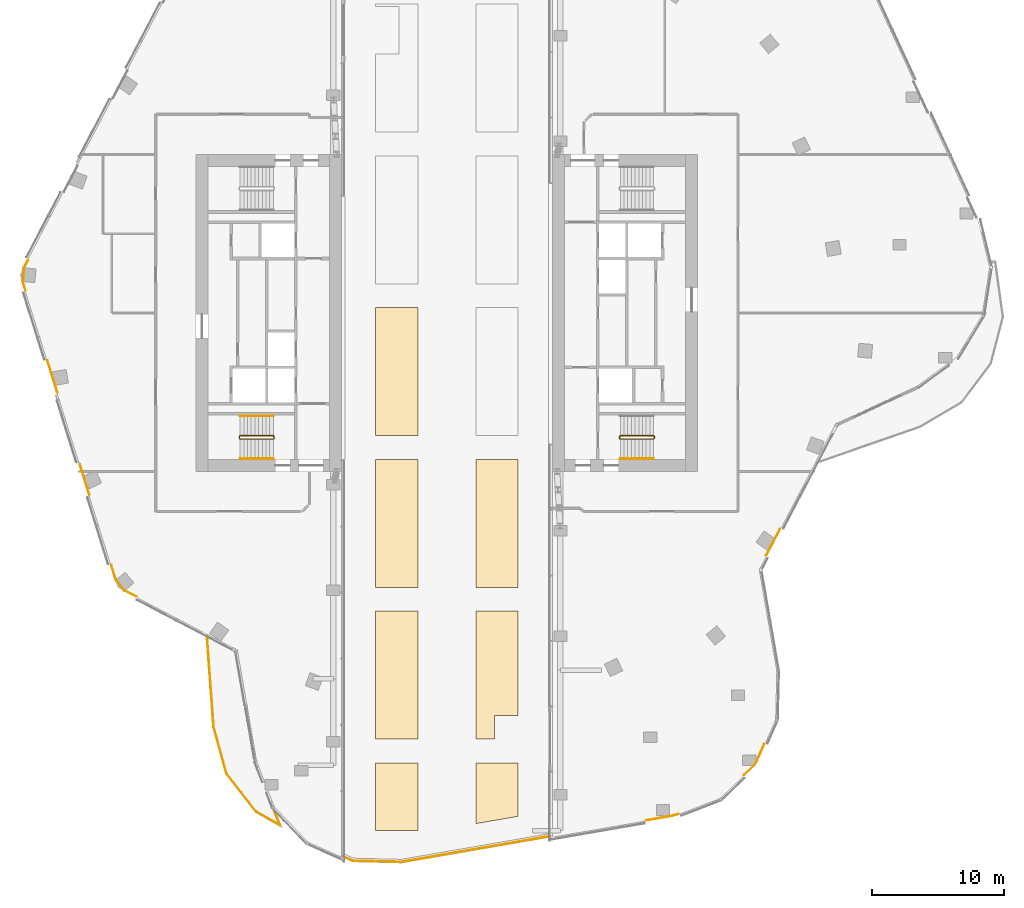
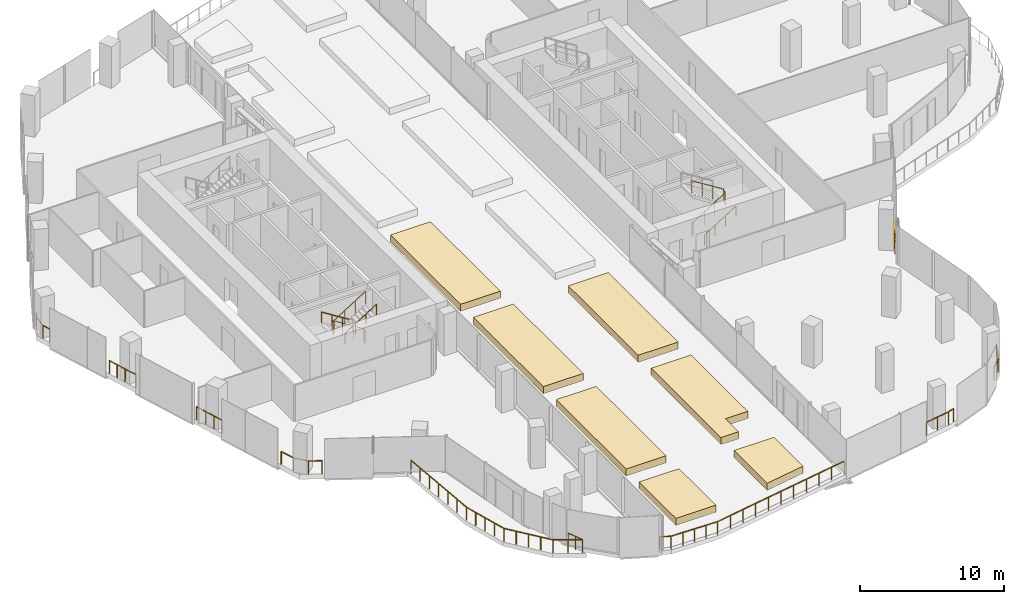
# One storey, part 23 of 26: 17 railings, 7 coverings.
"""IFC4 building model written with IfcOpenShell, lengths in metres."""

from ifc_helpers import new_model, si_unit, direction, frame, origin, origin_2d, place, context, subcontext, project, spatial, polyline, circle, outline, extrude, material, layer, layer_set, type_object, element, save


model = new_model("IFC4")

# Units and contexts
model_context = context("Model", 3, precision=1e-05, world=origin(), true_north=direction((0.0, 1.0)))
body_context = subcontext(model_context, "Body", "Model", "MODEL_VIEW")
ifc_project = project(units=[si_unit("LENGTHUNIT", "METRE"), si_unit("AREAUNIT", "SQUARE_METRE"), si_unit("VOLUMEUNIT", "CUBIC_METRE"), si_unit("PLANEANGLEUNIT", "RADIAN"), si_unit("MASSUNIT", "GRAM", prefix="KILO")], contexts=[model_context])

# Site, building, storey
site_placement = place(None, origin())
site = spatial("IfcSite", under=ifc_project, at=site_placement, CompositionType="ELEMENT")
building_placement = place(site_placement, origin())
building = spatial("IfcBuilding", under=site, at=building_placement, Name="Orlundy Tower", CompositionType="ELEMENT")
storey_placement = place(building_placement, frame((0.0, 0.0, 253.5)))
storey = spatial("IfcBuildingStorey", under=building, at=storey_placement, Name="L67", CompositionType="ELEMENT", Elevation=253.5)

# Coverings
ifc_material_1 = material(Name="Planted soil in precast concrete trough", Category="concrete")
ifc_layer = layer(ifc_material_1, 0.60009765625)
ifc_layer_set = layer_set([ifc_layer], Name="PLANTER box")
covering_type = type_object("IfcCoveringType", Name="PLANTER box", PredefinedType="USERDEFINED", material=ifc_layer_set)
covering_1_placement = place(storey_placement, origin())
element("IfcCovering", 1, at=covering_1_placement, inside=storey, type_object=covering_type, Name="PLANTER L67-20", ObjectType="PLANTER", PredefinedType="USERDEFINED", context=body_context, shape_type="SweptSolid", body=[
    extrude(outline(polyline([(-5.39990234375, -39.197998046875), (-5.39990234375, -34.097900390625), (-2.199951171875, -34.097900390625), (-2.199951171875, -39.197998046875), (-5.39990234375, -39.197998046875)])), origin(), (0.0, 0.0, 1.0), 0.60009765625),
])
covering_2_placement = place(storey_placement, origin())
element("IfcCovering", 2, at=covering_2_placement, inside=storey, type_object=covering_type, Name="PLANTER L67-21", ObjectType="PLANTER", PredefinedType="USERDEFINED", context=body_context, shape_type="SweptSolid", body=[
    extrude(outline(polyline([(-5.39990234375, -22.597900390625), (-2.199951171875, -22.597900390625), (-2.199951171875, -32.298095703125), (-5.39990234375, -32.298095703125), (-5.39990234375, -22.597900390625)])), origin(), (0.0, 0.0, 1.0), 0.60009765625),
])
covering_3_placement = place(storey_placement, origin())
element("IfcCovering", 3, at=covering_3_placement, inside=storey, type_object=covering_type, Name="PLANTER L67-22", ObjectType="PLANTER", PredefinedType="USERDEFINED", context=body_context, shape_type="SweptSolid", body=[
    extrude(outline(polyline([(-5.39990234375, -11.097900390625), (-2.199951171875, -11.097900390625), (-2.199951171875, -20.798095703125), (-5.39990234375, -20.798095703125), (-5.39990234375, -11.097900390625)])), origin(), (0.0, 0.0, 1.0), 0.60009765625),
])
covering_4_placement = place(storey_placement, origin())
element("IfcCovering", 4, at=covering_4_placement, inside=storey, type_object=covering_type, Name="PLANTER L67-23", ObjectType="PLANTER", PredefinedType="USERDEFINED", context=body_context, shape_type="SweptSolid", body=[
    extrude(outline(polyline([(-5.39990234375, 0.402099609375), (-2.199951171875, 0.402099609375), (-2.199951171875, -9.298095703125), (-5.39990234375, -9.298095703125), (-5.39990234375, 0.402099609375)])), origin(), (0.0, 0.0, 1.0), 0.60009765625),
])
covering_5_placement = place(storey_placement, origin())
element("IfcCovering", 5, at=covering_5_placement, inside=storey, type_object=covering_type, Name="PLANTER L67-27", ObjectType="PLANTER", PredefinedType="USERDEFINED", context=body_context, shape_type="SweptSolid", body=[
    extrude(outline(polyline([(2.199951171875, -38.693115234375), (2.199951171875, -34.097900390625), (5.39990234375, -34.097900390625), (5.39990234375, -38.137939453125), (2.199951171875, -38.693115234375)])), origin(), (0.0, 0.0, 1.0), 0.60009765625),
])
covering_6_placement = place(storey_placement, origin())
element("IfcCovering", 6, at=covering_6_placement, inside=storey, type_object=covering_type, Name="PLANTER L67-28", ObjectType="PLANTER", PredefinedType="USERDEFINED", context=body_context, shape_type="SweptSolid", body=[
    extrude(outline(polyline([(2.199951171875, -22.597900390625), (5.39990234375, -22.597900390625), (5.39990234375, -30.48193359375), (3.610107421875, -30.48193359375), (3.610107421875, -32.298095703125), (2.199951171875, -32.298095703125), (2.199951171875, -22.597900390625)])), origin(), (0.0, 0.0, 1.0), 0.60009765625),
])
covering_7_placement = place(storey_placement, origin())
element("IfcCovering", 7, at=covering_7_placement, inside=storey, type_object=covering_type, Name="PLANTER L67-29", ObjectType="PLANTER", PredefinedType="USERDEFINED", context=body_context, shape_type="SweptSolid", body=[
    extrude(outline(polyline([(2.199951171875, -11.097900390625), (5.39990234375, -11.097900390625), (5.39990234375, -20.798095703125), (2.199951171875, -20.798095703125), (2.199951171875, -11.097900390625)])), origin(), (0.0, 0.0, 1.0), 0.60009765625),
])

# Railings
ifc_material_2 = material(Name="Steel balustrade", Category="steel")
railing_type_1 = type_object("IfcRailingType", Name="Stair Guard 1100", PredefinedType="GUARDRAIL", material=ifc_material_2)
railing_1_placement = place(storey_placement, frame((-13.090087890625, -9.35009765625, 0.0)))
element("IfcRailing", 8, at=railing_1_placement, inside=storey, type_object=railing_type_1, Name="L67 ST-W2 stair guard 1", PredefinedType="GUARDRAIL", context=body_context, shape_type="SweptSolid", body=[
    extrude(circle(Radius=0.02392578125, at=origin_2d()), frame((0.0, 0.0, 1.076171875), z_axis=(0.0, -1.0, 0.0), x_axis=(1.0, 0.0, 0.0)), (0.0, 0.0, 1.0), 0.14990234375),
    extrude(circle(Radius=0.02392578125, at=origin_2d()), frame((0.0, -0.14990234375, 1.076171875), z_axis=(-0.18420542264, 0.739530593833, 0.647427882513), x_axis=(-0.970351222016, -0.241699205484, 0.0)), (0.0, 0.0, 1.0), 0.270263671875),
    extrude(circle(Radius=0.02392578125, at=origin_2d()), frame((-0.0498046875, 0.050048828125, 1.2509765625), z_axis=(-0.848007534815, 0.0, 0.529984170421), x_axis=(0.0, -1.0, 0.0)), (0.0, 0.0, 1.0), 2.9716796875),
    extrude(circle(Radius=0.02392578125, at=origin_2d()), frame((-2.56982421875, 0.050048828125, 2.826171875), z_axis=(-0.707106781187, -0.707106781187, 0.0), x_axis=(0.707106781187, -0.707106781187, 0.0)), (0.0, 0.0, 1.0), 0.07080078125),
    extrude(circle(Radius=0.02392578125, at=origin_2d()), frame((-2.619873046875, 0.0, 2.826171875), z_axis=(0.0, -1.0, 0.0), x_axis=(1.0, 0.0, 0.0)), (0.0, 0.0, 1.0), 0.14990234375),
    extrude(circle(Radius=0.02392578125, at=origin_2d()), frame((-2.619873046875, -0.14990234375, 2.826171875), z_axis=(0.265065253269, -0.265065253269, 0.927081885822), x_axis=(0.707106781187, 0.707106781187, 0.0)), (0.0, 0.0, 1.0), 0.188720703125),
    extrude(circle(Radius=0.02392578125, at=origin_2d()), frame((-2.56982421875, -0.199951171875, 3.0009765625), z_axis=(0.848007534815, 0.0, 0.529984170421), x_axis=(0.0, 1.0, 0.0)), (0.0, 0.0, 1.0), 2.9716796875),
    extrude(circle(Radius=0.02099609375, at=origin_2d()), origin(), (0.0, 0.0, 1.0), 1.052001953125),
    extrude(circle(Radius=0.02099609375, at=origin_2d()), frame((0.0, -0.14990234375, 0.0)), (0.0, 0.0, 1.0), 1.052001953125),
    extrude(circle(Radius=0.02099609375, at=origin_2d()), frame((-0.0498046875, 0.050048828125, 0.175048828125)), (0.0, 0.0, 1.0), 1.052001953125),
    extrude(circle(Radius=0.02099609375, at=origin_2d()), frame((-0.889892578125, 0.050048828125, 0.699951171875)), (0.0, 0.0, 1.0), 1.052001953125),
    extrude(circle(Radius=0.02099609375, at=origin_2d()), frame((-1.729736328125, 0.050048828125, 1.22509765625)), (0.0, 0.0, 1.0), 1.052001953125),
    extrude(circle(Radius=0.02099609375, at=origin_2d()), frame((-2.56982421875, 0.050048828125, 1.75)), (0.0, 0.0, 1.0), 1.052001953125),
    extrude(circle(Radius=0.02099609375, at=origin_2d()), frame((-2.619873046875, 0.0, 1.75)), (0.0, 0.0, 1.0), 1.052001953125),
    extrude(circle(Radius=0.02099609375, at=origin_2d()), frame((-2.619873046875, -0.14990234375, 1.75)), (0.0, 0.0, 1.0), 1.052001953125),
    extrude(circle(Radius=0.02099609375, at=origin_2d()), frame((-2.56982421875, -0.199951171875, 1.925048828125)), (0.0, 0.0, 1.0), 1.052001953125),
    extrude(circle(Radius=0.02099609375, at=origin_2d()), frame((-1.729736328125, -0.199951171875, 2.449951171875)), (0.0, 0.0, 1.0), 1.052001953125),
    extrude(circle(Radius=0.02099609375, at=origin_2d()), frame((-0.889892578125, -0.199951171875, 2.97509765625)), (0.0, 0.0, 1.0), 1.052001953125),
    extrude(circle(Radius=0.02099609375, at=origin_2d()), frame((-0.0498046875, -0.199951171875, 3.5)), (0.0, 0.0, 1.0), 1.052001953125),
])
railing_2_placement = place(storey_placement, frame((13.090087890625, -9.5, 0.0)))
element("IfcRailing", 9, at=railing_2_placement, inside=storey, type_object=railing_type_1, Name="L67 ST-E1 stair guard 1", PredefinedType="GUARDRAIL", context=body_context, shape_type="SweptSolid", body=[
    extrude(circle(Radius=0.02392578125, at=origin_2d()), frame((0.0, 0.0, 1.076171875), z_axis=(0.0, 1.0, 0.0), x_axis=(-1.0, 0.0, 0.0)), (0.0, 0.0, 1.0), 0.14990234375),
    extrude(circle(Radius=0.02392578125, at=origin_2d()), frame((0.0, 0.14990234375, 1.076171875), z_axis=(0.18420542264, -0.739530593833, 0.647427882513), x_axis=(0.970351222016, 0.241699205484, 0.0)), (0.0, 0.0, 1.0), 0.270263671875),
    extrude(circle(Radius=0.02392578125, at=origin_2d()), frame((0.0498046875, -0.050048828125, 1.2509765625), z_axis=(0.848007534815, 0.0, 0.529984170421), x_axis=(0.0, 1.0, 0.0)), (0.0, 0.0, 1.0), 2.9716796875),
    extrude(circle(Radius=0.02392578125, at=origin_2d()), frame((2.56982421875, -0.050048828125, 2.826171875), z_axis=(0.707106781187, 0.707106781187, 0.0), x_axis=(-0.707106781187, 0.707106781187, 0.0)), (0.0, 0.0, 1.0), 0.07080078125),
    extrude(circle(Radius=0.02392578125, at=origin_2d()), frame((2.619873046875, 0.0, 2.826171875), z_axis=(0.0, 1.0, 0.0), x_axis=(-1.0, 0.0, 0.0)), (0.0, 0.0, 1.0), 0.14990234375),
    extrude(circle(Radius=0.02392578125, at=origin_2d()), frame((2.619873046875, 0.14990234375, 2.826171875), z_axis=(-0.265065253269, 0.265065253269, 0.927081885822), x_axis=(-0.707106781187, -0.707106781187, 0.0)), (0.0, 0.0, 1.0), 0.188720703125),
    extrude(circle(Radius=0.02392578125, at=origin_2d()), frame((2.56982421875, 0.199951171875, 3.0009765625), z_axis=(-0.848007534815, 0.0, 0.529984170421), x_axis=(0.0, -1.0, 0.0)), (0.0, 0.0, 1.0), 2.9716796875),
    extrude(circle(Radius=0.02099609375, at=origin_2d()), origin(), (0.0, 0.0, 1.0), 1.052001953125),
    extrude(circle(Radius=0.02099609375, at=origin_2d()), frame((0.0, 0.14990234375, 0.0)), (0.0, 0.0, 1.0), 1.052001953125),
    extrude(circle(Radius=0.02099609375, at=origin_2d()), frame((0.0498046875, -0.050048828125, 0.175048828125)), (0.0, 0.0, 1.0), 1.052001953125),
    extrude(circle(Radius=0.02099609375, at=origin_2d()), frame((0.889892578125, -0.050048828125, 0.699951171875)), (0.0, 0.0, 1.0), 1.052001953125),
    extrude(circle(Radius=0.02099609375, at=origin_2d()), frame((1.729736328125, -0.050048828125, 1.22509765625)), (0.0, 0.0, 1.0), 1.052001953125),
    extrude(circle(Radius=0.02099609375, at=origin_2d()), frame((2.56982421875, -0.050048828125, 1.75)), (0.0, 0.0, 1.0), 1.052001953125),
    extrude(circle(Radius=0.02099609375, at=origin_2d()), frame((2.619873046875, 0.0, 1.75)), (0.0, 0.0, 1.0), 1.052001953125),
    extrude(circle(Radius=0.02099609375, at=origin_2d()), frame((2.619873046875, 0.14990234375, 1.75)), (0.0, 0.0, 1.0), 1.052001953125),
    extrude(circle(Radius=0.02099609375, at=origin_2d()), frame((2.56982421875, 0.199951171875, 1.925048828125)), (0.0, 0.0, 1.0), 1.052001953125),
    extrude(circle(Radius=0.02099609375, at=origin_2d()), frame((1.729736328125, 0.199951171875, 2.449951171875)), (0.0, 0.0, 1.0), 1.052001953125),
    extrude(circle(Radius=0.02099609375, at=origin_2d()), frame((0.889892578125, 0.199951171875, 2.97509765625)), (0.0, 0.0, 1.0), 1.052001953125),
    extrude(circle(Radius=0.02099609375, at=origin_2d()), frame((0.0498046875, 0.199951171875, 3.5)), (0.0, 0.0, 1.0), 1.052001953125),
])
ifc_material_3 = material(Name="Steel handrail", Category="steel")
railing_type_2 = type_object("IfcRailingType", Name="Stair Handrail 900", PredefinedType="HANDRAIL", material=ifc_material_3)
railing_3_placement = place(storey_placement, frame((-13.139892578125, -7.800048828125, 0.175048828125)))
element("IfcRailing", 10, at=railing_3_placement, inside=storey, type_object=railing_type_2, Name="L67 ST-W2 stair handrail 1", PredefinedType="HANDRAIL", context=body_context, shape_type="SweptSolid", body=[
    extrude(circle(Radius=0.02392578125, at=origin_2d()), frame((0.0, 0.0, 0.8759765625), z_axis=(-0.848007534815, 0.0, 0.529984170421), x_axis=(0.0, -1.0, 0.0)), (0.0, 0.0, 1.0), 2.9716796875),
    extrude(circle(Radius=0.02099609375, at=origin_2d()), origin(), (0.0, 0.0, 1.0), 0.851806640625),
    extrude(circle(Radius=0.02099609375, at=origin_2d()), frame((-0.840087890625, 0.0, 0.52490234375)), (0.0, 0.0, 1.0), 0.851806640625),
    extrude(circle(Radius=0.02099609375, at=origin_2d()), frame((-1.679931640625, 0.0, 1.050048828125)), (0.0, 0.0, 1.0), 0.851806640625),
    extrude(circle(Radius=0.02099609375, at=origin_2d()), frame((-2.52001953125, 0.0, 1.574951171875)), (0.0, 0.0, 1.0), 0.851806640625),
])
for number, where, name in (
    (11, (-15.659912109375, -11.050048828125, 1.925048828125), "L67 ST-W2 stair handrail 2"),
    (12, (13.139892578125, -11.050048828125, 0.175048828125), "L67 ST-E1 stair handrail 1"),
):
    element("IfcRailing", number, at=place(storey_placement, frame(where)), inside=storey, type_object=railing_type_2, Name=name, PredefinedType="HANDRAIL", context=body_context, shape_type="SweptSolid", body=[
        extrude(circle(Radius=0.02392578125, at=origin_2d()), frame((0.0, 0.0, 0.8759765625), z_axis=(0.848007534815, 0.0, 0.529984170421), x_axis=(0.0, 1.0, 0.0)), (0.0, 0.0, 1.0), 2.9716796875),
        extrude(circle(Radius=0.02099609375, at=origin_2d()), origin(), (0.0, 0.0, 1.0), 0.851806640625),
        extrude(circle(Radius=0.02099609375, at=origin_2d()), frame((0.840087890625, 0.0, 0.52490234375)), (0.0, 0.0, 1.0), 0.851806640625),
        extrude(circle(Radius=0.02099609375, at=origin_2d()), frame((1.679931640625, 0.0, 1.050048828125)), (0.0, 0.0, 1.0), 0.851806640625),
        extrude(circle(Radius=0.02099609375, at=origin_2d()), frame((2.52001953125, 0.0, 1.574951171875)), (0.0, 0.0, 1.0), 0.851806640625),
    ])
ifc_material_4 = material(Name="Stainless steel bronze finish", Category="steel")
railing_type_3 = type_object("IfcRailingType", Name="TG1 terrace guard", PredefinedType="GUARDRAIL", material=ifc_material_4)
railing_4_placement = place(storey_placement, frame((-23.530517578125, -21.4912109375, 0.0)))
element("IfcRailing", 13, at=railing_4_placement, inside=storey, type_object=railing_type_3, Name="Guard TG-L67-E00", PredefinedType="GUARDRAIL", context=body_context, shape_type="SweptSolid", body=[
    extrude(circle(Radius=0.02490234375, at=origin_2d()), frame((0.0, 0.0, 1.09521484375), z_axis=(-0.885660090891, 0.464334150589, 0.0), x_axis=(-0.464334150589, -0.885660090891, 0.0)), (0.0, 0.0, 1.0), 0.947998046875),
    extrude(circle(Radius=0.02490234375, at=origin_2d()), frame((-0.839599609375, 0.440185546875, 1.09521484375), z_axis=(-0.640314205142, 0.768113089782, 0.0), x_axis=(-0.768113089782, -0.640314205142, 0.0)), (0.0, 0.0, 1.0), 1.10986328125),
    extrude(circle(Radius=0.02490234375, at=origin_2d()), frame((-1.55029296875, 1.292724609375, 1.09521484375), z_axis=(-0.297946150995, 0.954582679032, 0.0), x_axis=(-0.954582679032, -0.297946150995, 0.0)), (0.0, 0.0, 1.0), 1.141357421875),
    extrude(circle(Radius=0.02001953125, at=origin_2d()), origin(), (0.0, 0.0, 1.0), 1.070068359375),
    extrude(circle(Radius=0.02001953125, at=origin_2d()), frame((-0.839599609375, 0.440185546875, 0.0)), (0.0, 0.0, 1.0), 1.070068359375),
    extrude(circle(Radius=0.02001953125, at=origin_2d()), frame((-1.55029296875, 1.292724609375, 0.0)), (0.0, 0.0, 1.0), 1.070068359375),
    extrude(circle(Radius=0.02001953125, at=origin_2d()), frame((-1.890380859375, 2.38232421875, 0.0)), (0.0, 0.0, 1.0), 1.070068359375),
])
railing_5_placement = place(storey_placement, frame((-27.53369140625, -12.340087890625, 0.0)))
element("IfcRailing", 14, at=railing_5_placement, inside=storey, type_object=railing_type_3, Name="Guard TG-L67-E02", PredefinedType="GUARDRAIL", context=body_context, shape_type="SweptSolid", body=[
    extrude(circle(Radius=0.02490234375, at=origin_2d()), frame((0.0, 0.0, 1.09521484375), z_axis=(0.297859053334, -0.954609859758, 0.0), x_axis=(0.954609859758, 0.297859053334, 0.0)), (0.0, 0.0, 1.0), 1.504150390625),
    extrude(circle(Radius=0.02001953125, at=origin_2d()), origin(), (0.0, 0.0, 1.0), 1.070068359375),
    extrude(circle(Radius=0.02001953125, at=origin_2d()), frame((0.22412109375, -0.7177734375, 0.0)), (0.0, 0.0, 1.0), 1.070068359375),
    extrude(circle(Radius=0.02001953125, at=origin_2d()), frame((0.447998046875, -1.435791015625, 0.0)), (0.0, 0.0, 1.0), 1.070068359375),
])
railing_6_placement = place(storey_placement, frame((-31.919921875, 1.71240234375, 0.0)))
element("IfcRailing", 15, at=railing_6_placement, inside=storey, type_object=railing_type_3, Name="Guard TG-L67-E05", PredefinedType="GUARDRAIL", context=body_context, shape_type="SweptSolid", body=[
    extrude(circle(Radius=0.02490234375, at=origin_2d()), frame((0.0, 0.0, 1.09521484375), z_axis=(-0.298107755975, 0.954532223567, 0.0), x_axis=(-0.954532223567, -0.298107755975, 0.0)), (0.0, 0.0, 1.0), 0.6650390625),
    extrude(circle(Radius=0.02490234375, at=origin_2d()), frame((-0.1982421875, 0.634765625, 1.09521484375), z_axis=(0.090615068193, 0.995885992178, 0.0), x_axis=(-0.995885992178, 0.090615068193, 0.0)), (0.0, 0.0, 1.0), 1.110107421875),
    extrude(circle(Radius=0.02490234375, at=origin_2d()), frame((-0.09765625, 1.740234375, 1.09521484375), z_axis=(0.464170613675, 0.885745810829, 0.0), x_axis=(-0.885745810829, 0.464170613675, 0.0)), (0.0, 0.0, 1.0), 0.61328125),
    extrude(circle(Radius=0.02001953125, at=origin_2d()), origin(), (0.0, 0.0, 1.0), 1.070068359375),
    extrude(circle(Radius=0.02001953125, at=origin_2d()), frame((-0.1982421875, 0.634765625, 0.0)), (0.0, 0.0, 1.0), 1.070068359375),
    extrude(circle(Radius=0.02001953125, at=origin_2d()), frame((-0.09765625, 1.740234375, 0.0)), (0.0, 0.0, 1.0), 1.070068359375),
    extrude(circle(Radius=0.02001953125, at=origin_2d()), frame((0.18701171875, 2.283447265625, 0.0)), (0.0, 0.0, 1.0), 1.070068359375),
])
railing_7_placement = place(storey_placement, frame((-29.808837890625, -5.05126953125, 0.0)))
element("IfcRailing", 16, at=railing_7_placement, inside=storey, type_object=railing_type_3, Name="Guard TG-L67-E06", PredefinedType="GUARDRAIL", context=body_context, shape_type="SweptSolid", body=[
    extrude(circle(Radius=0.02490234375, at=origin_2d()), frame((0.0, 0.0, 1.09521484375), z_axis=(0.297948201553, -0.954582039005, 0.0), x_axis=(0.954582039005, 0.297948201553, 0.0)), (0.0, 0.0, 1.0), 1.02099609375),
    extrude(circle(Radius=0.02001953125, at=origin_2d()), origin(), (0.0, 0.0, 1.0), 1.070068359375),
    extrude(circle(Radius=0.02001953125, at=origin_2d()), frame((0.30419921875, -0.974609375, 0.0)), (0.0, 0.0, 1.0), 1.070068359375),
])
railing_8_placement = place(storey_placement, frame((-29.808837890625, -5.05126953125, 0.0)))
element("IfcRailing", 17, at=railing_8_placement, inside=storey, type_object=railing_type_3, Name="Guard TG-L67-E08", PredefinedType="GUARDRAIL", context=body_context, shape_type="SweptSolid", body=[
    extrude(circle(Radius=0.02490234375, at=origin_2d()), frame((0.0, 0.0, 1.09521484375), z_axis=(-0.297941062274, 0.954584267318, 0.0), x_axis=(-0.954584267318, -0.297941062274, 0.0)), (0.0, 0.0, 1.0), 1.498779296875),
    extrude(circle(Radius=0.02001953125, at=origin_2d()), origin(), (0.0, 0.0, 1.0), 1.070068359375),
    extrude(circle(Radius=0.02001953125, at=origin_2d()), frame((-0.22314453125, 0.71533203125, 0.0)), (0.0, 0.0, 1.0), 1.070068359375),
    extrude(circle(Radius=0.02001953125, at=origin_2d()), frame((-0.446533203125, 1.4306640625, 0.0)), (0.0, 0.0, 1.0), 1.070068359375),
])
railing_9_placement = place(storey_placement, frame((-27.53369140625, -12.340087890625, 0.0)))
element("IfcRailing", 18, at=railing_9_placement, inside=storey, type_object=railing_type_3, Name="Guard TG-L67-E010", PredefinedType="GUARDRAIL", context=body_context, shape_type="SweptSolid", body=[
    extrude(circle(Radius=0.02490234375, at=origin_2d()), frame((0.0, 0.0, 1.09521484375), z_axis=(-0.298087785524, 0.954538460263, 0.0), x_axis=(-0.954538460263, -0.298087785524, 0.0)), (0.0, 0.0, 1.0), 0.89111328125),
    extrude(circle(Radius=0.02001953125, at=origin_2d()), origin(), (0.0, 0.0, 1.0), 1.070068359375),
    extrude(circle(Radius=0.02001953125, at=origin_2d()), frame((-0.265625, 0.8505859375, 0.0)), (0.0, 0.0, 1.0), 1.070068359375),
])
railing_10_placement = place(storey_placement, frame((24.8740234375, -17.078125, 0.0)))
element("IfcRailing", 19, at=railing_10_placement, inside=storey, type_object=railing_type_3, Name="Guard TG-L67-E10", PredefinedType="GUARDRAIL", context=body_context, shape_type="SweptSolid", body=[
    extrude(circle(Radius=0.02490234375, at=origin_2d()), frame((0.0, 0.0, 1.09521484375), z_axis=(-0.464346191194, -0.885653778135, 0.0), x_axis=(0.885653778135, -0.464346191194, 0.0)), (0.0, 0.0, 1.0), 1.4521484375),
    extrude(circle(Radius=0.02001953125, at=origin_2d()), origin(), (0.0, 0.0, 1.0), 1.070068359375),
    extrude(circle(Radius=0.02001953125, at=origin_2d()), frame((-0.337158203125, -0.64306640625, 0.0)), (0.0, 0.0, 1.0), 1.070068359375),
    extrude(circle(Radius=0.02001953125, at=origin_2d()), frame((-0.67431640625, -1.2861328125, 0.0)), (0.0, 0.0, 1.0), 1.070068359375),
])
railing_11_placement = place(storey_placement, frame((24.05126953125, -32.66943359375, 0.0)))
element("IfcRailing", 20, at=railing_11_placement, inside=storey, type_object=railing_type_3, Name="Guard TG-L67-E11", PredefinedType="GUARDRAIL", context=body_context, shape_type="SweptSolid", body=[
    extrude(circle(Radius=0.02490234375, at=origin_2d()), frame((0.0, 0.0, 1.09521484375), z_axis=(-0.40548100875, -0.91410346873, 0.0), x_axis=(0.91410346873, -0.40548100875, 0.0)), (0.0, 0.0, 1.0), 1.481689453125),
    extrude(circle(Radius=0.02490234375, at=origin_2d()), frame((-0.600830078125, -1.3544921875, 1.09521484375), z_axis=(-0.576199608472, -0.817309005943, 0.0), x_axis=(0.817309005943, -0.576199608472, 0.0)), (0.0, 0.0, 1.0), 0.376708984375),
    extrude(circle(Radius=0.02490234375, at=origin_2d()), frame((-0.81787109375, -1.662353515625, 1.09521484375), z_axis=(-0.724309507313, -0.689474972437, 0.0), x_axis=(0.689474972437, -0.724309507313, 0.0)), (0.0, 0.0, 1.0), 0.981201171875),
    extrude(circle(Radius=0.02001953125, at=origin_2d()), origin(), (0.0, 0.0, 1.0), 1.070068359375),
    extrude(circle(Radius=0.02001953125, at=origin_2d()), frame((-0.30029296875, -0.67724609375, 0.0)), (0.0, 0.0, 1.0), 1.070068359375),
    extrude(circle(Radius=0.02001953125, at=origin_2d()), frame((-0.600830078125, -1.3544921875, 0.0)), (0.0, 0.0, 1.0), 1.070068359375),
    extrude(circle(Radius=0.02001953125, at=origin_2d()), frame((-0.81787109375, -1.662353515625, 0.0)), (0.0, 0.0, 1.0), 1.070068359375),
    extrude(circle(Radius=0.02001953125, at=origin_2d()), frame((-1.528564453125, -2.3388671875, 0.0)), (0.0, 0.0, 1.0), 1.070068359375),
])
railing_12_placement = place(storey_placement, frame((17.548583984375, -37.95849609375, 0.0)))
element("IfcRailing", 21, at=railing_12_placement, inside=storey, type_object=railing_type_3, Name="Guard TG-L67-E14", PredefinedType="GUARDRAIL", context=body_context, shape_type="SweptSolid", body=[
    extrude(circle(Radius=0.02490234375, at=origin_2d()), frame((0.0, 0.0, 1.09521484375), z_axis=(-0.957260526053, -0.289227047941, 0.0), x_axis=(0.289227047941, -0.957260526053, 0.0)), (0.0, 0.0, 1.0), 0.512451171875),
    extrude(circle(Radius=0.02490234375, at=origin_2d()), frame((-0.490478515625, -0.148193359375, 1.09521484375), z_axis=(-0.985303346192, -0.170813687923, 0.0), x_axis=(0.170813687923, -0.985303346192, 0.0)), (0.0, 0.0, 1.0), 1.992431640625),
    extrude(circle(Radius=0.02001953125, at=origin_2d()), origin(), (0.0, 0.0, 1.0), 1.070068359375),
    extrude(circle(Radius=0.02001953125, at=origin_2d()), frame((-0.490478515625, -0.148193359375, 0.0)), (0.0, 0.0, 1.0), 1.070068359375),
    extrude(circle(Radius=0.02001953125, at=origin_2d()), frame((-1.47216796875, -0.318359375, 0.0)), (0.0, 0.0, 1.0), 1.070068359375),
    extrude(circle(Radius=0.02001953125, at=origin_2d()), frame((-2.45361328125, -0.488525390625, 0.0)), (0.0, 0.0, 1.0), 1.070068359375),
])
railing_13_placement = place(storey_placement, frame((25.24951171875, -16.362060546875, 0.0)))
element("IfcRailing", 22, at=railing_13_placement, inside=storey, type_object=railing_type_3, Name="Guard TG-L67-E112", PredefinedType="GUARDRAIL", context=body_context, shape_type="SweptSolid", body=[
    extrude(circle(Radius=0.02490234375, at=origin_2d()), frame((0.0, 0.0, 1.09521484375), z_axis=(-0.464401849923, -0.885624594164, 0.0), x_axis=(0.885624594164, -0.464401849923, 0.0)), (0.0, 0.0, 1.0), 0.80859375),
    extrude(circle(Radius=0.02001953125, at=origin_2d()), origin(), (0.0, 0.0, 1.0), 1.070068359375),
    extrude(circle(Radius=0.02001953125, at=origin_2d()), frame((-0.37548828125, -0.716064453125, 0.0)), (0.0, 0.0, 1.0), 1.070068359375),
])
railing_14_placement = place(storey_placement, frame((-13.1083984375, -37.619873046875, 0.0)))
element("IfcRailing", 23, at=railing_14_placement, inside=storey, type_object=railing_type_3, Name="Guard TG-L67-10", PredefinedType="GUARDRAIL", context=body_context, shape_type="SweptSolid", body=[
    extrude(circle(Radius=0.02490234375, at=origin_2d()), frame((0.0, 0.0, 1.09521484375), z_axis=(0.359632047648, -0.933094202267, 0.0), x_axis=(0.933094202267, 0.359632047648, 0.0)), (0.0, 0.0, 1.0), 1.277587890625),
    extrude(circle(Radius=0.02490234375, at=origin_2d()), frame((0.45947265625, -1.192138671875, 1.09521484375), z_axis=(-0.868811971947, 0.49514215878, 0.0), x_axis=(-0.49514215878, -0.868811971947, 0.0)), (0.0, 0.0, 1.0), 2.05810546875),
    extrude(circle(Radius=0.02490234375, at=origin_2d()), frame((-1.32861328125, -0.173095703125, 1.09521484375), z_axis=(-0.614705531396, 0.788756685975, 0.0), x_axis=(-0.788756685975, -0.614705531396, 0.0)), (0.0, 0.0, 1.0), 3.666748046875),
    extrude(circle(Radius=0.02490234375, at=origin_2d()), frame((-3.58251953125, 2.718994140625, 1.09521484375), z_axis=(-0.265780027044, 0.964033701291, 0.0), x_axis=(-0.964033701291, -0.265780027044, 0.0)), (0.0, 0.0, 1.0), 3.67626953125),
    extrude(circle(Radius=0.02490234375, at=origin_2d()), frame((-4.5595703125, 6.262939453125, 1.09521484375), z_axis=(-0.072719528174, 0.997352430298, 0.0), x_axis=(-0.997352430298, -0.072719528174, 0.0)), (0.0, 0.0, 1.0), 6.845458984375),
    extrude(circle(Radius=0.02001953125, at=origin_2d()), origin(), (0.0, 0.0, 1.0), 1.070068359375),
    extrude(circle(Radius=0.02001953125, at=origin_2d()), frame((0.229736328125, -0.59619140625, 0.0)), (0.0, 0.0, 1.0), 1.070068359375),
    extrude(circle(Radius=0.02001953125, at=origin_2d()), frame((0.45947265625, -1.192138671875, 0.0)), (0.0, 0.0, 1.0), 1.070068359375),
    extrude(circle(Radius=0.02001953125, at=origin_2d()), frame((-0.4345703125, -0.6826171875, 0.0)), (0.0, 0.0, 1.0), 1.070068359375),
    extrude(circle(Radius=0.02001953125, at=origin_2d()), frame((-1.32861328125, -0.173095703125, 0.0)), (0.0, 0.0, 1.0), 1.070068359375),
    extrude(circle(Radius=0.02001953125, at=origin_2d()), frame((-1.89208984375, 0.5498046875, 0.0)), (0.0, 0.0, 1.0), 1.070068359375),
    extrude(circle(Radius=0.02001953125, at=origin_2d()), frame((-2.45556640625, 1.27294921875, 0.0)), (0.0, 0.0, 1.0), 1.070068359375),
    extrude(circle(Radius=0.02001953125, at=origin_2d()), frame((-3.01904296875, 1.99609375, 0.0)), (0.0, 0.0, 1.0), 1.070068359375),
    extrude(circle(Radius=0.02001953125, at=origin_2d()), frame((-3.58251953125, 2.718994140625, 0.0)), (0.0, 0.0, 1.0), 1.070068359375),
    extrude(circle(Radius=0.02001953125, at=origin_2d()), frame((-3.82666015625, 3.60498046875, 0.0)), (0.0, 0.0, 1.0), 1.070068359375),
    extrude(circle(Radius=0.02001953125, at=origin_2d()), frame((-4.071044921875, 4.490966796875, 0.0)), (0.0, 0.0, 1.0), 1.070068359375),
    extrude(circle(Radius=0.02001953125, at=origin_2d()), frame((-4.3154296875, 5.376953125, 0.0)), (0.0, 0.0, 1.0), 1.070068359375),
    extrude(circle(Radius=0.02001953125, at=origin_2d()), frame((-4.5595703125, 6.262939453125, 0.0)), (0.0, 0.0, 1.0), 1.070068359375),
    extrude(circle(Radius=0.02001953125, at=origin_2d()), frame((-4.642578125, 7.40087890625, 0.0)), (0.0, 0.0, 1.0), 1.070068359375),
    extrude(circle(Radius=0.02001953125, at=origin_2d()), frame((-4.7255859375, 8.538818359375, 0.0)), (0.0, 0.0, 1.0), 1.070068359375),
    extrude(circle(Radius=0.02001953125, at=origin_2d()), frame((-4.80859375, 9.6767578125, 0.0)), (0.0, 0.0, 1.0), 1.070068359375),
    extrude(circle(Radius=0.02001953125, at=origin_2d()), frame((-4.891357421875, 10.814453125, 0.0)), (0.0, 0.0, 1.0), 1.070068359375),
    extrude(circle(Radius=0.02001953125, at=origin_2d()), frame((-4.974365234375, 11.952392578125, 0.0)), (0.0, 0.0, 1.0), 1.070068359375),
    extrude(circle(Radius=0.02001953125, at=origin_2d()), frame((-5.057373046875, 13.09033203125, 0.0)), (0.0, 0.0, 1.0), 1.070068359375),
])
railing_15_placement = place(storey_placement, frame((7.840087890625, -39.643310546875, 0.0)))
element("IfcRailing", 24, at=railing_15_placement, inside=storey, type_object=railing_type_3, Name="Guard TG-L67-20", PredefinedType="GUARDRAIL", context=body_context, shape_type="SweptSolid", body=[
    extrude(circle(Radius=0.02490234375, at=origin_2d()), frame((0.0, 0.0, 1.09521484375), z_axis=(-0.985307110953, -0.170791970258, 0.0), x_axis=(0.170791970258, -0.985307110953, 0.0)), (0.0, 0.0, 1.0), 11.4443359375),
    extrude(circle(Radius=0.02490234375, at=origin_2d()), frame((-11.276123046875, -1.95458984375, 1.09521484375), z_axis=(-0.999701624186, 0.024426678023, 0.0), x_axis=(-0.024426678023, -0.999701624186, 0.0)), (0.0, 0.0, 1.0), 3.677978515625),
    extrude(circle(Radius=0.02490234375, at=origin_2d()), frame((-14.953125, -1.86474609375, 1.09521484375), z_axis=(-0.913760929217, 0.406252340592, 0.0), x_axis=(-0.406252340592, -0.913760929217, 0.0)), (0.0, 0.0, 1.0), 0.795654296875),
    extrude(circle(Radius=0.02001953125, at=origin_2d()), origin(), (0.0, 0.0, 1.0), 1.070068359375),
    extrude(circle(Radius=0.02001953125, at=origin_2d()), frame((-1.127685546875, -0.195556640625, 0.0)), (0.0, 0.0, 1.0), 1.070068359375),
    extrude(circle(Radius=0.02001953125, at=origin_2d()), frame((-2.255126953125, -0.390869140625, 0.0)), (0.0, 0.0, 1.0), 1.070068359375),
    extrude(circle(Radius=0.02001953125, at=origin_2d()), frame((-3.3828125, -0.58642578125, 0.0)), (0.0, 0.0, 1.0), 1.070068359375),
    extrude(circle(Radius=0.02001953125, at=origin_2d()), frame((-4.510498046875, -0.78173828125, 0.0)), (0.0, 0.0, 1.0), 1.070068359375),
    extrude(circle(Radius=0.02001953125, at=origin_2d()), frame((-5.63818359375, -0.977294921875, 0.0)), (0.0, 0.0, 1.0), 1.070068359375),
    extrude(circle(Radius=0.02001953125, at=origin_2d()), frame((-6.765625, -1.1728515625, 0.0)), (0.0, 0.0, 1.0), 1.070068359375),
    extrude(circle(Radius=0.02001953125, at=origin_2d()), frame((-7.893310546875, -1.3681640625, 0.0)), (0.0, 0.0, 1.0), 1.070068359375),
    extrude(circle(Radius=0.02001953125, at=origin_2d()), frame((-9.02099609375, -1.563720703125, 0.0)), (0.0, 0.0, 1.0), 1.070068359375),
    extrude(circle(Radius=0.02001953125, at=origin_2d()), frame((-10.1484375, -1.759033203125, 0.0)), (0.0, 0.0, 1.0), 1.070068359375),
    extrude(circle(Radius=0.02001953125, at=origin_2d()), frame((-11.276123046875, -1.95458984375, 0.0)), (0.0, 0.0, 1.0), 1.070068359375),
    extrude(circle(Radius=0.02001953125, at=origin_2d()), frame((-12.1953125, -1.93212890625, 0.0)), (0.0, 0.0, 1.0), 1.070068359375),
    extrude(circle(Radius=0.02001953125, at=origin_2d()), frame((-13.11474609375, -1.90966796875, 0.0)), (0.0, 0.0, 1.0), 1.070068359375),
    extrude(circle(Radius=0.02001953125, at=origin_2d()), frame((-14.033935546875, -1.88720703125, 0.0)), (0.0, 0.0, 1.0), 1.070068359375),
    extrude(circle(Radius=0.02001953125, at=origin_2d()), frame((-14.953125, -1.86474609375, 0.0)), (0.0, 0.0, 1.0), 1.070068359375),
    extrude(circle(Radius=0.02001953125, at=origin_2d()), frame((-15.68017578125, -1.54150390625, 0.0)), (0.0, 0.0, 1.0), 1.070068359375),
])

save(model, "model.ifc")
